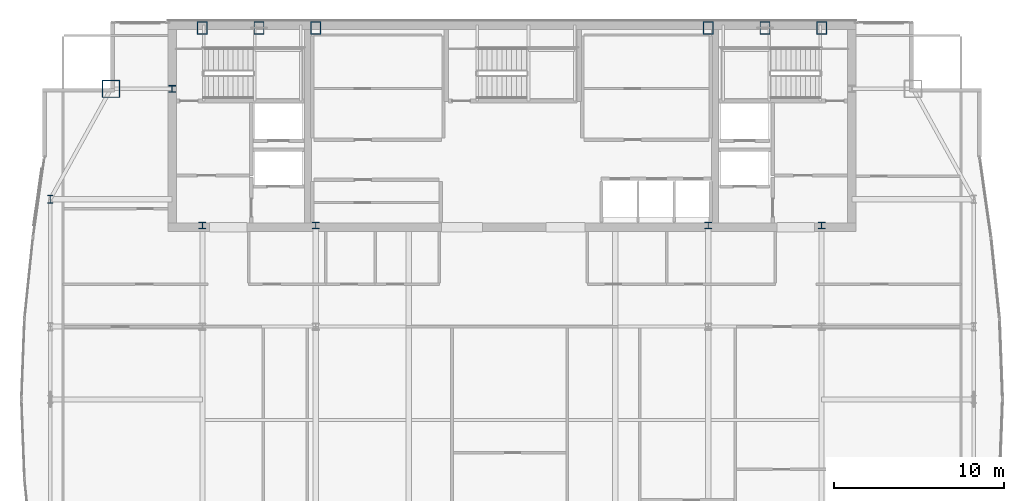
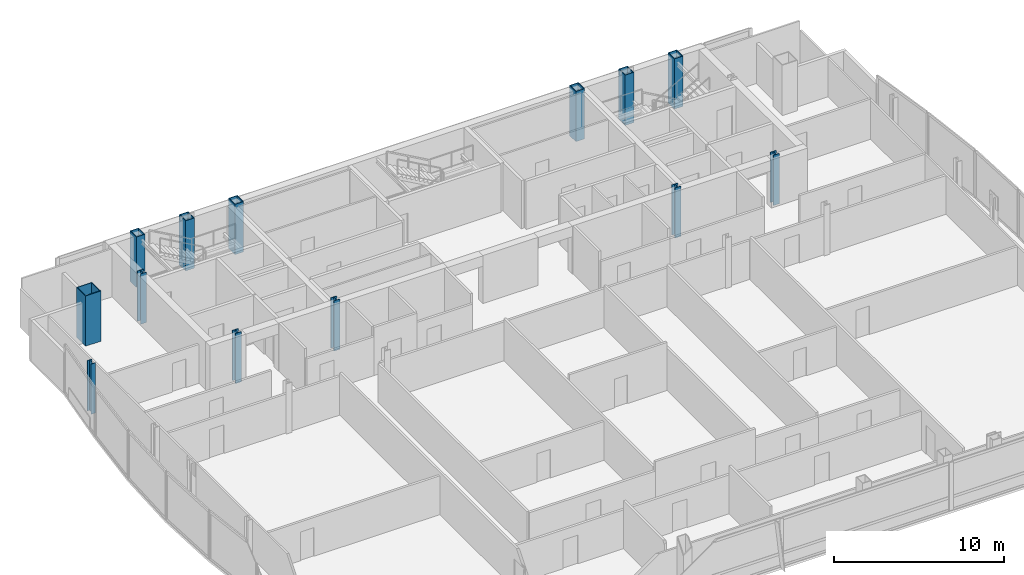
# One storey, part 3 of 30: 13 columns.
"""IFC4 building model written with IfcOpenShell, lengths in metres."""

import ifcopenshell
import ifcopenshell.guid

model = None  # the IFC model being written
_history = None  # IfcOwnerHistory: only IFC2X3 demands one
_inside = {}  # id of a spatial element -> (the spatial element, [elements in it])
_under = {}  # id of a project, library or spatial element -> (it, [spatial elements below it])
_declared = {}  # id of a project -> (the project, [libraries it declares])
_typed = {}  # id of a type object -> (the type object, [elements of that type])
_made_of = {}  # id of a material, layer set ... -> (it, [elements and type objects made of it])


def new_model(schema):
    """Start an empty IFC model of exactly this schema.

    Asked for "IFC4X3", IfcOpenShell would pick the latest addendum, in which some entities
    have other attributes; the version numbers below select the first issue.
    IFC2X3 requires an IfcOwnerHistory on every rooted entity: one is made here for all.
    """
    global model, _history
    if schema == "IFC4X3":
        model = ifcopenshell.file(schema_version=(4, 3, 0, 0))
    else:
        model = ifcopenshell.file(schema=schema)
    _inside.clear()
    _under.clear()
    _declared.clear()
    _typed.clear()
    _made_of.clear()
    _history = None
    if model.schema == "IFC2X3":
        org = make("IfcOrganization", Name="unknown")
        user = make(
            "IfcPersonAndOrganization",
            ThePerson=make("IfcPerson", FamilyName="unknown"),
            TheOrganization=org,
        )
        app = make(
            "IfcApplication",
            ApplicationDeveloper=org,
            Version="unknown",
            ApplicationFullName="unknown",
            ApplicationIdentifier="unknown",
        )
        _history = make(
            "IfcOwnerHistory",
            OwningUser=user,
            OwningApplication=app,
            ChangeAction="ADDED",
            CreationDate=0,
        )
    return model


def make(cls, **values):
    """One entity of the class cls with the attributes given. An attribute that is None is left unset."""
    return model.create_entity(
        cls, **{name: value for name, value in values.items() if value is not None}
    )


def rooted(cls, **values):
    """An entity with a GlobalId (a new one), such as an element, a storey or a relation."""
    return make(cls, GlobalId=ifcopenshell.guid.new(), OwnerHistory=_history, **values)


def si_unit(unit_type, name, prefix=None):
    """IfcSIUnit, for example si_unit("LENGTHUNIT", "METRE", prefix="MILLI")."""
    return make("IfcSIUnit", UnitType=unit_type, Prefix=prefix, Name=name)


def assignment(units):
    """IfcUnitAssignment: the units of a project."""
    return None if units is None else make("IfcUnitAssignment", Units=units)


def point(xyz):
    """IfcCartesianPoint."""
    return None if xyz is None else make("IfcCartesianPoint", Coordinates=xyz)


def direction(xyz):
    """IfcDirection."""
    return None if xyz is None else make("IfcDirection", DirectionRatios=xyz)


def frame(location, z_axis=None, x_axis=None):
    """IfcAxis2Placement3D, a coordinate frame: its origin and axes. An axis left out is left unset."""
    return make(
        "IfcAxis2Placement3D",
        Location=point(location),
        Axis=direction(z_axis),
        RefDirection=direction(x_axis),
    )


def frame_2d(location, x_axis=None):
    """IfcAxis2Placement2D, a coordinate frame in the plane: its origin and x axis."""
    return make(
        "IfcAxis2Placement2D", Location=point(location), RefDirection=direction(x_axis)
    )


def origin():
    """The frame at (0, 0, 0) with its axes left unset."""
    return frame((0.0, 0.0, 0.0))


def origin_2d():
    """The frame at (0, 0) in the plane with its x axis left unset."""
    return frame_2d((0.0, 0.0))


def place(relative_to, where):
    """IfcLocalPlacement: puts the frame where relative to a parent placement (None: the world)."""
    return make(
        "IfcLocalPlacement", PlacementRelTo=relative_to, RelativePlacement=where
    )


def context(
    kind, dimensions, precision=None, world=None, true_north=None, identifier=None
):
    """IfcGeometricRepresentationContext, for example the 3D "Model" context."""
    return make(
        "IfcGeometricRepresentationContext",
        ContextIdentifier=identifier,
        ContextType=kind,
        CoordinateSpaceDimension=dimensions,
        Precision=precision,
        WorldCoordinateSystem=world,
        TrueNorth=true_north,
    )


def subcontext(parent, identifier, kind, view, scale=None):
    """IfcGeometricRepresentationSubContext, for example "Body" below "Model"."""
    return make(
        "IfcGeometricRepresentationSubContext",
        ContextIdentifier=identifier,
        ContextType=kind,
        ParentContext=parent,
        TargetScale=scale,
        TargetView=view,
    )


def project(units=None, contexts=None):
    """IfcProject with its units and contexts."""
    return rooted(
        "IfcProject",
        Name="project",
        RepresentationContexts=contexts,
        UnitsInContext=assignment(units),
    )


def spatial(cls, under=None, at=None, **own):
    """A site, building, storey or space (cls), placed at a placement, below another one or the project."""
    s = rooted(cls, ObjectPlacement=at, **own)
    if under is not None:
        _under.setdefault(under.id(), (under, []))[1].append(s)
    return s


def profile(cls, at=None, kind="AREA", **sizes):
    """A parametric profile (cls). Its sizes go by their IFC names, for example OverallWidth=200.0."""
    return make(cls, ProfileType=kind, Position=at, **sizes)


def hollow_rectangle(**sizes):
    """IfcRectangleHollowProfileDef."""
    return profile("IfcRectangleHollowProfileDef", **sizes)


def i_section(**sizes):
    """IfcIShapeProfileDef."""
    return profile("IfcIShapeProfileDef", **sizes)


def extrude(swept, where, along, depth):
    """IfcExtrudedAreaSolid: the profile swept, set in the frame where, extruded along a direction by depth."""
    return make(
        "IfcExtrudedAreaSolid",
        SweptArea=swept,
        Position=where,
        ExtrudedDirection=direction(along),
        Depth=depth,
    )


def shape(context_of_items, identifier, shape_type, items):
    """IfcShapeRepresentation: the items that make up one representation, for example the "Body"."""
    return make(
        "IfcShapeRepresentation",
        ContextOfItems=context_of_items,
        RepresentationIdentifier=identifier,
        RepresentationType=shape_type,
        Items=items,
    )


def material(Name=None, Category=None):
    """IfcMaterial."""
    return make("IfcMaterial", Name=Name, Category=Category)


def material_profile(
    of_material, cross_section, Name=None, Category=None, Priority=None
):
    """IfcMaterialProfile: a cross section and its material."""
    return make(
        "IfcMaterialProfile",
        Name=Name,
        Material=of_material,
        Profile=cross_section,
        Priority=Priority,
        Category=Category,
    )


def profile_set(profiles, Name=None, composite=None):
    """IfcMaterialProfileSet."""
    return make(
        "IfcMaterialProfileSet",
        Name=Name,
        MaterialProfiles=profiles,
        CompositeProfile=composite,
    )


def made_of(thing, what):
    """Note that an element or type object is made of a material, layer set ...; save() writes the relation."""
    if what is not None:
        _made_of.setdefault(what.id(), (what, []))[1].append(thing)
    return thing


def type_object(cls, material=None, **own):
    """A type object (cls), such as IfcWallType, which elements share."""
    return made_of(rooted(cls, **own), material)


def element(
    cls,
    number,
    at=None,
    inside=None,
    cuts=None,
    type_object=None,
    material=None,
    context=None,
    identifier="Body",
    shape_type=None,
    held_by="IfcProductDefinitionShape",
    body=None,
    shapes=None,
    **own,
):
    """One element of the class cls, such as IfcWall. Its Tag is "e" and its number.

    at: its placement. inside: the storey or other place that contains it. cuts: it is an
    opening in that element (IfcRelVoidsElement). A single representation is given by context,
    identifier, shape_type and body (its items); several are given by shapes. held_by: the class
    of the entity that holds the representations. save() writes the other relations.
    """
    e = rooted(cls, Tag="e%d" % number, ObjectPlacement=at, **own)
    if body is not None:
        shapes = [shape(context, identifier, shape_type, body)]
    if shapes is not None:
        e.Representation = make(held_by, Representations=shapes)
    if inside is not None:
        _inside.setdefault(inside.id(), (inside, []))[1].append(e)
    if cuts is not None:
        rooted(
            "IfcRelVoidsElement", RelatingBuildingElement=cuts, RelatedOpeningElement=e
        )
    if type_object is not None:
        _typed.setdefault(type_object.id(), (type_object, []))[1].append(e)
    return made_of(e, material)


def aggregate(whole, parts):
    """IfcRelAggregates: a whole, such as a stair, and the parts it consists of."""
    return rooted("IfcRelAggregates", RelatingObject=whole, RelatedObjects=parts)


def save(model, path):
    """Write the relations noted so far, then the file.

    IfcRelAggregates (storeys below a building ...), IfcRelContainedInSpatialStructure (elements
    in a storey), IfcRelDefinesByType, IfcRelAssociatesMaterial and IfcRelDeclares: one each for
    every whole, place, type object, material and project.
    """
    for whole, parts in _under.values():
        aggregate(whole, parts)
    for where, things in _inside.values():
        rooted(
            "IfcRelContainedInSpatialStructure",
            RelatedElements=things,
            RelatingStructure=where,
        )
    for kind, things in _typed.values():
        rooted("IfcRelDefinesByType", RelatedObjects=things, RelatingType=kind)
    for what, things in _made_of.values():
        rooted("IfcRelAssociatesMaterial", RelatedObjects=things, RelatingMaterial=what)
    for by, libraries in _declared.values():
        rooted("IfcRelDeclares", RelatingContext=by, RelatedDefinitions=libraries)
    model.write(path)


model = new_model("IFC4")

# Units and contexts
model_context = context("Model", 3, precision=1e-05, world=origin(), true_north=direction((0.0, 1.0)))
body_context = subcontext(model_context, "Body", "Model", "MODEL_VIEW")
ifc_project = project(units=[si_unit("LENGTHUNIT", "METRE"), si_unit("AREAUNIT", "SQUARE_METRE"), si_unit("VOLUMEUNIT", "CUBIC_METRE"), si_unit("PLANEANGLEUNIT", "RADIAN"), si_unit("MASSUNIT", "GRAM", prefix="KILO")], contexts=[model_context])

# Site, building, storey
site_placement = place(None, origin())
site = spatial("IfcSite", under=ifc_project, at=site_placement, CompositionType="ELEMENT")
building_placement = place(site_placement, origin())
building = spatial("IfcBuilding", under=site, at=building_placement, Name="Khoronbel Lancet Exchange", CompositionType="ELEMENT")
storey_placement = place(building_placement, frame((0.0, 0.0, 280.60009765625)))
storey = spatial("IfcBuildingStorey", under=building, at=storey_placement, Name="L72", CompositionType="ELEMENT", Elevation=280.60009765625)

# Columns
ifc_material_1 = material(Name="Steel S460", Category="steel")
ifc_material_profile_1 = material_profile(ifc_material_1, hollow_rectangle(XDim=0.60009765625, YDim=0.75, WallThickness=0.044921875, at=origin_2d()), Name="BOX 750x600x45")
ifc_profile_set_1 = profile_set([ifc_material_profile_1], Name="Steel S460")
column_type_1 = type_object("IfcColumnType", Name="COL-EC3", PredefinedType="COLUMN", material=ifc_profile_set_1)
for number, where, z_axis, x_axis, name in (
    (1, (18.22509765625, 53.280029296875, 0.0), (0.0, 0.0, 1.0), (1.0, 0.0, 0.0), "Structural column NC-W1 L72"),
    (2, (21.5625, 53.280029296875, 0.0), (0.0, 0.0, 1.0), (1.0, 0.0, 0.0), "Structural column NC-WM L72"),
    (3, (24.89990234375, 53.280029296875, 0.0), (0.0, 0.0, 1.0), (1.0, 0.0, 0.0), "Structural column NC-W2 L72"),
    (4, (48.0, 53.280029296875, 0.0), (0.0, 0.0, 1.0), (1.0, 0.0, 0.0), "Structural column NC-E1 L72"),
    (5, (51.33740234375, 53.280029296875, 0.0), (0.0, 0.0, 1.0), (1.0, 0.0, 0.0), "Structural column NC-EM L72"),
    (6, (54.675048828125, 53.280029296875, 0.0), (0.0, 0.0, 1.0), (1.0, 0.0, 0.0), "Structural column NC-E2 L72"),
):
    element("IfcColumn", number, at=place(storey_placement, frame(where, z_axis=z_axis, x_axis=x_axis)), inside=storey, type_object=column_type_1, Name=name, PredefinedType="COLUMN", context=body_context, shape_type="SweptSolid", body=[
        extrude(hollow_rectangle(XDim=0.60009765625, YDim=0.75, WallThickness=0.044921875, at=origin_2d()), origin(), (0.0, 0.0, 1.0), 3.599853515625),
    ])
ifc_material_2 = material(Name="Steel S355", Category="steel")
ifc_material_profile_2 = material_profile(ifc_material_2, i_section(OverallWidth=0.39892578125, OverallDepth=0.39306640625, WebThickness=0.022705078125, FlangeThickness=0.03662109375, at=origin_2d()), Name="HD 400x287")
ifc_profile_set_2 = profile_set([ifc_material_profile_2], Name="Steel S355")
column_type_2 = type_object("IfcColumnType", Name="COL-IC4", PredefinedType="COLUMN", material=ifc_profile_set_2)
for number, where, z_axis, x_axis, name in (
    (7, (16.449951171875, 49.699951171875, 0.0), (0.0, 0.0, 1.0), (1.0, 0.0, 0.0), "Core-flank plumb transfer column CFW L72"),
    (8, (18.22509765625, 41.64990234375, 0.0), (0.0, 0.0, 1.0), (1.0, 0.0, 0.0), "Core-embedded steel column CTC1 L72"),
    (9, (24.89990234375, 41.64990234375, 0.0), (0.0, 0.0, 1.0), (1.0, 0.0, 0.0), "Core-embedded steel column CTC2 L72"),
    (10, (48.0, 41.64990234375, 0.0), (0.0, 0.0, 1.0), (1.0, 0.0, 0.0), "Core-embedded steel column CTC3 L72"),
    (11, (54.675048828125, 41.64990234375, 0.0), (0.0, 0.0, 1.0), (1.0, 0.0, 0.0), "Core-embedded steel column CTC4 L72"),
):
    element("IfcColumn", number, at=place(storey_placement, frame(where, z_axis=z_axis, x_axis=x_axis)), inside=storey, type_object=column_type_2, Name=name, PredefinedType="COLUMN", context=body_context, shape_type="SweptSolid", body=[
        extrude(i_section(OverallWidth=0.39892578125, OverallDepth=0.39306640625, WebThickness=0.022705078125, FlangeThickness=0.03662109375, at=origin_2d()), origin(), (0.0, 0.0, 1.0), 3.599853515625),
    ])
ifc_material_profile_3 = material_profile(ifc_material_2, i_section(OverallWidth=0.300048828125, OverallDepth=0.449951171875, WebThickness=0.013916015625, FlangeThickness=0.02587890625, at=origin_2d()), Name="HEB 450")
ifc_profile_set_3 = profile_set([ifc_material_profile_3], Name="Steel S355")
column_type_3 = type_object("IfcColumnType", Name="COL-LC2", PredefinedType="COLUMN", material=ifc_profile_set_3)
column_1_placement = place(storey_placement, frame((9.27001953125, 43.199951171875, 0.0), z_axis=(0.0, 0.0, 1.0), x_axis=(1.0, 0.0, 0.0)))
element("IfcColumn", 12, at=column_1_placement, inside=storey, type_object=column_type_3, Name="Structural column WC-4 L72", PredefinedType="COLUMN", context=body_context, shape_type="SweptSolid", body=[
    extrude(i_section(OverallWidth=0.300048828125, OverallDepth=0.449951171875, WebThickness=0.013916015625, FlangeThickness=0.02587890625, at=origin_2d()), origin(), (0.0, 0.0, 1.0), 3.599853515625),
])
ifc_material_profile_4 = material_profile(ifc_material_1, hollow_rectangle(XDim=1.050048828125, YDim=1.050048828125, WallThickness=0.054931640625, at=origin_2d()), Name="BOX 1050x1050x55")
ifc_profile_set_4 = profile_set([ifc_material_profile_4], Name="Steel S460")
column_type_4 = type_object("IfcColumnType", Name="COL-MC6", PredefinedType="COLUMN", material=ifc_profile_set_4)
column_2_placement = place(storey_placement, frame((12.85009765625, 49.699951171875, 0.0), z_axis=(0.0, 0.0, 1.0), x_axis=(1.0, 0.0, 0.0)))
element("IfcColumn", 13, at=column_2_placement, inside=storey, type_object=column_type_4, Name="Structural column MC-NW L72", PredefinedType="COLUMN", context=body_context, shape_type="SweptSolid", body=[
    extrude(hollow_rectangle(XDim=1.050048828125, YDim=1.050048828125, WallThickness=0.054931640625, at=origin_2d()), origin(), (0.0, 0.0, 1.0), 3.599853515625),
])

save(model, "model.ifc")
